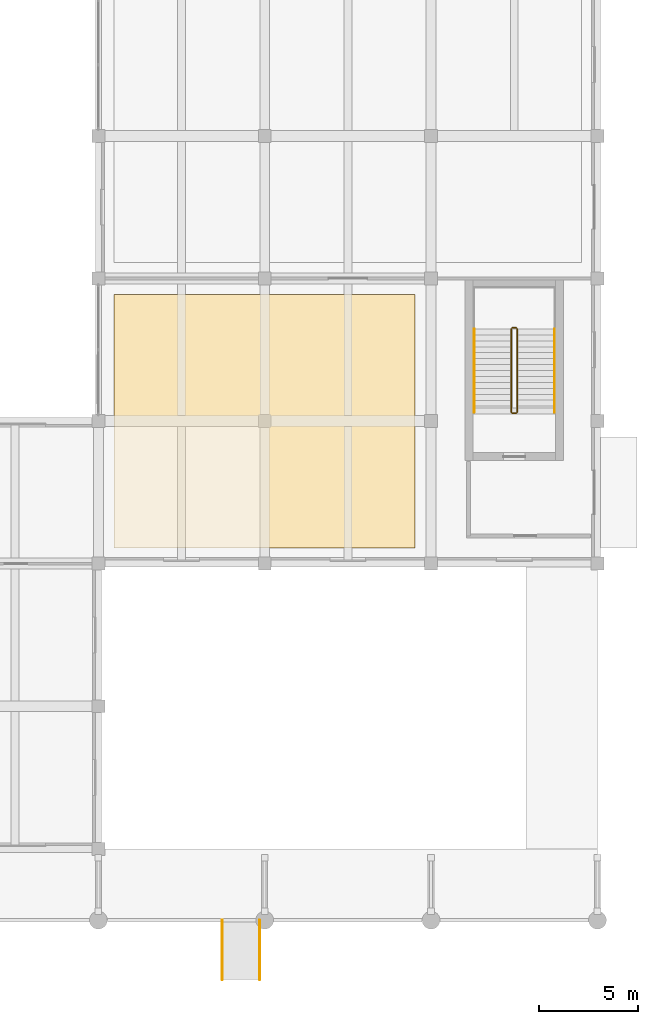
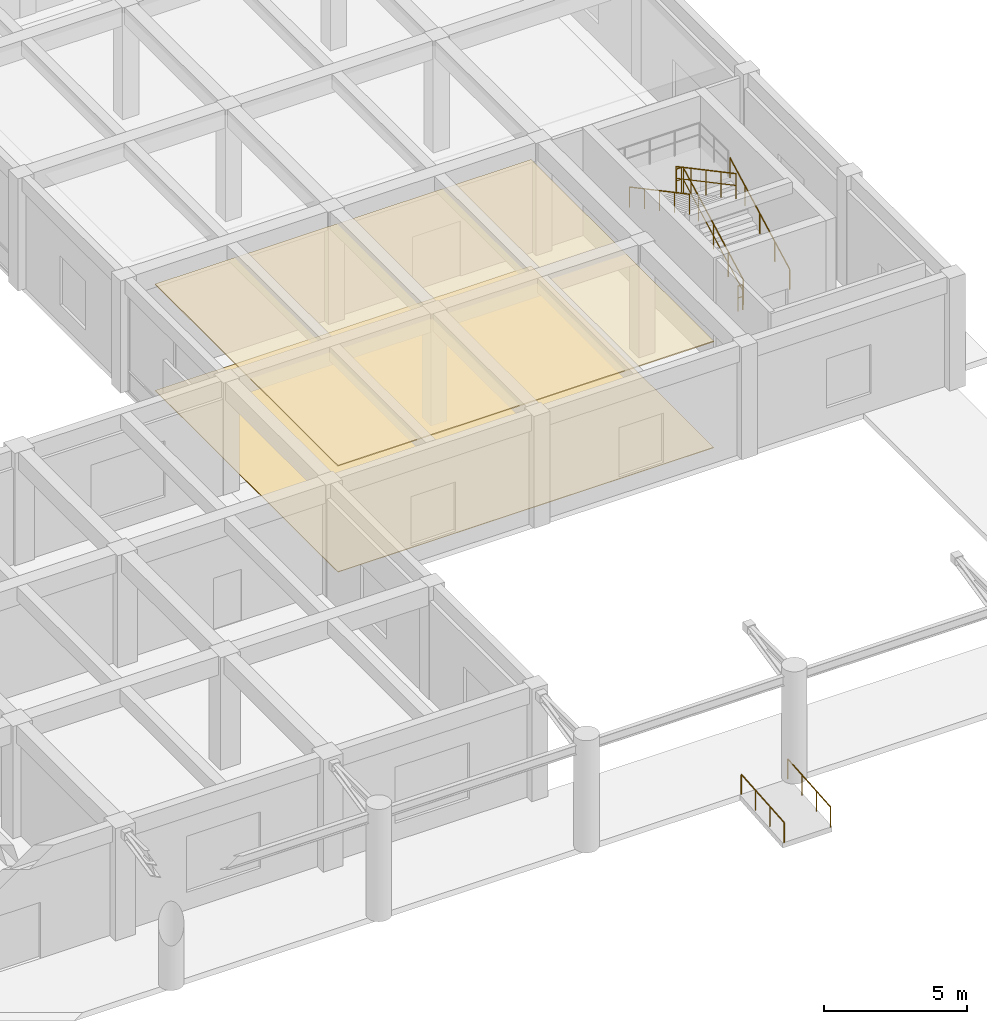
# One storey, part 47 of 49: 8 railings, 2 coverings.
"""IFC4 building model written with IfcOpenShell, lengths in metres."""

from ifc_helpers import new_model, si_unit, direction, frame, origin, origin_2d, place, context, subcontext, project, spatial, polyline, circle, outline, extrude, material, layer, layer_set, type_object, element, save


model = new_model("IFC4")

# Units and contexts
model_context = context("Model", 3, precision=1e-05, world=origin(), true_north=direction((0.0, 1.0)))
body_context = subcontext(model_context, "Body", "Model", "MODEL_VIEW")
ifc_project = project(units=[si_unit("LENGTHUNIT", "METRE"), si_unit("AREAUNIT", "SQUARE_METRE"), si_unit("VOLUMEUNIT", "CUBIC_METRE"), si_unit("PLANEANGLEUNIT", "RADIAN"), si_unit("MASSUNIT", "GRAM", prefix="KILO")], contexts=[model_context])

# Site, building, storey
site_placement = place(None, origin())
site = spatial("IfcSite", under=ifc_project, at=site_placement, CompositionType="ELEMENT")
building_placement = place(site_placement, origin())
building = spatial("IfcBuilding", under=site, at=building_placement, Name="Kenerak Square Central Library", CompositionType="ELEMENT")
storey_placement = place(building_placement, origin())
storey = spatial("IfcBuildingStorey", under=building, at=storey_placement, Name="L00", CompositionType="ELEMENT", Elevation=0.0)

# Coverings
ifc_material_1 = material(Name="Chengal hardwood timber SG1", Category="wood")
ifc_layer_1 = layer(ifc_material_1, 0.044921875)
ifc_layer_set_1 = layer_set([ifc_layer_1], Name="Chengal hardwood timber SG1")
covering_type_1 = type_object("IfcCoveringType", Name="Perforated Chengal Acoustic Ceiling CV-CEIL", PredefinedType="CEILING", material=ifc_layer_set_1)
covering_1_placement = place(storey_placement, frame((0.0, 0.0, 4.530029296875)))
element("IfcCovering", 1, at=covering_1_placement, inside=storey, type_object=covering_type_1, Name="Acoustic Ceiling L00-11", PredefinedType="CEILING", context=body_context, shape_type="SweptSolid", body=[
    extrude(outline(polyline([(151.60009765625, 44.800048828125), (166.800048828125, 44.800048828125), (166.800048828125, 32.0), (151.60009765625, 32.0), (151.60009765625, 44.800048828125)])), origin(), (0.0, 0.0, 1.0), 0.044921875),
])
ifc_material_2 = material(Name="Polished granite aggregate terrazzo", Category="masonry")
ifc_layer_2 = layer(ifc_material_2, 0.02490234375)
ifc_layer_set_2 = layer_set([ifc_layer_2], Name="Polished granite aggregate terrazzo")
covering_type_2 = type_object("IfcCoveringType", Name="Polished Terrazzo Reading Floor Finish CV-FLR", PredefinedType="FLOORING", material=ifc_layer_set_2)
covering_2_placement = place(storey_placement, origin())
element("IfcCovering", 2, at=covering_2_placement, inside=storey, type_object=covering_type_2, Name="Terrazzo Floor Finish L00-11", PredefinedType="FLOORING", context=body_context, shape_type="SweptSolid", body=[
    extrude(outline(polyline([(151.60009765625, 44.800048828125), (166.800048828125, 44.800048828125), (166.800048828125, 32.0), (151.60009765625, 32.0), (151.60009765625, 44.800048828125)])), origin(), (0.0, 0.0, 1.0), 0.02490234375),
])

# Railings
ifc_material_3 = material(Name="Steel S355", Category="steel")
railing_type_1 = type_object("IfcRailingType", Name="Safety Guardrail GR-1100 S355", PredefinedType="GUARDRAIL", material=ifc_material_3)
railing_1_placement = place(storey_placement, frame((171.949951171875, 38.85009765625, 0.159912109375)))
element("IfcRailing", 3, at=railing_1_placement, inside=storey, type_object=railing_type_1, Name="L00 ST-07 stair guard 1", PredefinedType="GUARDRAIL", context=body_context, shape_type="SweptSolid", body=[
    extrude(circle(Radius=0.02392578125, at=origin_2d()), frame((0.0, 0.0, 1.076171875), z_axis=(0.0, 0.882351521365, 0.470590897432), x_axis=(-1.0, 0.0, 0.0)), (0.0, 0.0, 1.0), 4.760009765625),
    extrude(circle(Radius=0.01806640625, at=origin_2d()), frame((0.0, 0.0, 0.572021484375), z_axis=(0.0, 0.882351521365, 0.470590897432), x_axis=(-1.0, 0.0, 0.0)), (0.0, 0.0, 1.0), 4.760009765625),
    extrude(circle(Radius=0.02099609375, at=origin_2d()), origin(), (0.0, 0.0, 1.0), 1.052001953125),
    extrude(circle(Radius=0.02099609375, at=origin_2d()), frame((0.0, 1.050048828125, 0.56005859375)), (0.0, 0.0, 1.0), 1.052001953125),
    extrude(circle(Radius=0.02099609375, at=origin_2d()), frame((0.0, 2.10009765625, 1.1201171875)), (0.0, 0.0, 1.0), 1.052001953125),
    extrude(circle(Radius=0.02099609375, at=origin_2d()), frame((0.0, 3.14990234375, 1.679931640625)), (0.0, 0.0, 1.0), 1.052001953125),
    extrude(circle(Radius=0.02099609375, at=origin_2d()), frame((0.0, 4.199951171875, 2.239990234375)), (0.0, 0.0, 1.0), 1.052001953125),
])
railing_2_placement = place(storey_placement, frame((171.89990234375, 43.10009765625, 2.39990234375)))
element("IfcRailing", 4, at=railing_2_placement, inside=storey, type_object=railing_type_1, Name="L00 ST-07 stair guard 2", PredefinedType="GUARDRAIL", context=body_context, shape_type="SweptSolid", body=[
    extrude(circle(Radius=0.02392578125, at=origin_2d()), frame((0.0, 0.0, 1.076171875), z_axis=(-1.0, 0.0, 0.0), x_axis=(0.0, -1.0, 0.0)), (0.0, 0.0, 1.0), 0.199951171875),
    extrude(circle(Radius=0.01806640625, at=origin_2d()), frame((0.0, 0.0, 0.572021484375), z_axis=(-1.0, 0.0, 0.0), x_axis=(0.0, -1.0, 0.0)), (0.0, 0.0, 1.0), 0.199951171875),
    extrude(circle(Radius=0.02099609375, at=origin_2d()), origin(), (0.0, 0.0, 1.0), 1.052001953125),
    extrude(circle(Radius=0.02099609375, at=origin_2d()), frame((-0.199951171875, 0.0, 0.0)), (0.0, 0.0, 1.0), 1.052001953125),
])
railing_3_placement = place(storey_placement, frame((171.64990234375, 43.050048828125, 2.56005859375)))
element("IfcRailing", 5, at=railing_3_placement, inside=storey, type_object=railing_type_1, Name="L00 ST-07 stair guard 3", PredefinedType="GUARDRAIL", context=body_context, shape_type="SweptSolid", body=[
    extrude(circle(Radius=0.02392578125, at=origin_2d()), frame((0.0, 0.0, 1.076171875), z_axis=(0.0, -0.882351521365, 0.470590897432), x_axis=(1.0, 0.0, 0.0)), (0.0, 0.0, 1.0), 4.760009765625),
    extrude(circle(Radius=0.01806640625, at=origin_2d()), frame((0.0, 0.0, 0.572021484375), z_axis=(0.0, -0.882351521365, 0.470590897432), x_axis=(1.0, 0.0, 0.0)), (0.0, 0.0, 1.0), 4.760009765625),
    extrude(circle(Radius=0.02099609375, at=origin_2d()), origin(), (0.0, 0.0, 1.0), 1.052001953125),
    extrude(circle(Radius=0.02099609375, at=origin_2d()), frame((0.0, -1.050048828125, 0.56005859375)), (0.0, 0.0, 1.0), 1.052001953125),
    extrude(circle(Radius=0.02099609375, at=origin_2d()), frame((0.0, -2.10009765625, 1.1201171875)), (0.0, 0.0, 1.0), 1.052001953125),
    extrude(circle(Radius=0.02099609375, at=origin_2d()), frame((0.0, -3.14990234375, 1.679931640625)), (0.0, 0.0, 1.0), 1.052001953125),
    extrude(circle(Radius=0.02099609375, at=origin_2d()), frame((0.0, -4.199951171875, 2.239990234375)), (0.0, 0.0, 1.0), 1.052001953125),
])
railing_4_placement = place(storey_placement, frame((171.89990234375, 38.800048828125, 0.0)))
element("IfcRailing", 6, at=railing_4_placement, inside=storey, type_object=railing_type_1, Name="L00 ST-07 stair guard 4", PredefinedType="GUARDRAIL", context=body_context, shape_type="SweptSolid", body=[
    extrude(circle(Radius=0.02392578125, at=origin_2d()), frame((0.0, 0.0, 1.076171875), z_axis=(-1.0, 0.0, 0.0), x_axis=(0.0, -1.0, 0.0)), (0.0, 0.0, 1.0), 0.199951171875),
    extrude(circle(Radius=0.01806640625, at=origin_2d()), frame((0.0, 0.0, 0.572021484375), z_axis=(-1.0, 0.0, 0.0), x_axis=(0.0, -1.0, 0.0)), (0.0, 0.0, 1.0), 0.199951171875),
    extrude(circle(Radius=0.02099609375, at=origin_2d()), origin(), (0.0, 0.0, 1.0), 1.052001953125),
    extrude(circle(Radius=0.02099609375, at=origin_2d()), frame((-0.199951171875, 0.0, 0.0)), (0.0, 0.0, 1.0), 1.052001953125),
])
railing_type_2 = type_object("IfcRailingType", Name="Stair Handrail HR-880 S355", PredefinedType="HANDRAIL", material=ifc_material_3)
railing_5_placement = place(storey_placement, frame((173.830078125, 38.85009765625, 0.159912109375)))
element("IfcRailing", 7, at=railing_5_placement, inside=storey, type_object=railing_type_2, Name="L00 ST-07 stair handrail 1", PredefinedType="HANDRAIL", context=body_context, shape_type="SweptSolid", body=[
    extrude(circle(Radius=0.02392578125, at=origin_2d()), frame((0.0, 0.0, 0.85595703125), z_axis=(0.0, 0.882351521365, 0.470590897432), x_axis=(-1.0, 0.0, 0.0)), (0.0, 0.0, 1.0), 4.760009765625),
    extrude(circle(Radius=0.02099609375, at=origin_2d()), origin(), (0.0, 0.0, 1.0), 0.831787109375),
    extrude(circle(Radius=0.02099609375, at=origin_2d()), frame((0.0, 1.050048828125, 0.56005859375)), (0.0, 0.0, 1.0), 0.831787109375),
    extrude(circle(Radius=0.02099609375, at=origin_2d()), frame((0.0, 2.10009765625, 1.1201171875)), (0.0, 0.0, 1.0), 0.831787109375),
    extrude(circle(Radius=0.02099609375, at=origin_2d()), frame((0.0, 3.14990234375, 1.679931640625)), (0.0, 0.0, 1.0), 0.831787109375),
    extrude(circle(Radius=0.02099609375, at=origin_2d()), frame((0.0, 4.199951171875, 2.239990234375)), (0.0, 0.0, 1.0), 0.831787109375),
])
railing_6_placement = place(storey_placement, frame((169.77001953125, 43.050048828125, 2.56005859375)))
element("IfcRailing", 8, at=railing_6_placement, inside=storey, type_object=railing_type_2, Name="L00 ST-07 stair handrail 2", PredefinedType="HANDRAIL", context=body_context, shape_type="SweptSolid", body=[
    extrude(circle(Radius=0.02392578125, at=origin_2d()), frame((0.0, 0.0, 0.85595703125), z_axis=(0.0, -0.882351521365, 0.470590897432), x_axis=(1.0, 0.0, 0.0)), (0.0, 0.0, 1.0), 4.760009765625),
    extrude(circle(Radius=0.02099609375, at=origin_2d()), origin(), (0.0, 0.0, 1.0), 0.831787109375),
    extrude(circle(Radius=0.02099609375, at=origin_2d()), frame((0.0, -1.050048828125, 0.56005859375)), (0.0, 0.0, 1.0), 0.831787109375),
    extrude(circle(Radius=0.02099609375, at=origin_2d()), frame((0.0, -2.10009765625, 1.1201171875)), (0.0, 0.0, 1.0), 0.831787109375),
    extrude(circle(Radius=0.02099609375, at=origin_2d()), frame((0.0, -3.14990234375, 1.679931640625)), (0.0, 0.0, 1.0), 0.831787109375),
    extrude(circle(Radius=0.02099609375, at=origin_2d()), frame((0.0, -4.199951171875, 2.239990234375)), (0.0, 0.0, 1.0), 0.831787109375),
])
for number, where, name in (
    (9, (157.06005859375, 10.199951171875, -0.239990234375), "Children Pavilion Accessible Ramp PR-04 Handrail L"),
    (10, (158.93994140625, 10.199951171875, -0.239990234375), "Children Pavilion Accessible Ramp PR-04 Handrail R"),
):
    element("IfcRailing", number, at=place(storey_placement, frame(where)), inside=storey, type_object=railing_type_2, Name=name, PredefinedType="HANDRAIL", context=body_context, shape_type="SweptSolid", body=[
        extrude(circle(Radius=0.02392578125, at=origin_2d()), frame((0.0, 0.0, 0.85595703125), z_axis=(0.0, 0.996815536467, 0.079741998075), x_axis=(-1.0, 0.0, 0.0)), (0.0, 0.0, 1.0), 3.009521484375),
        extrude(circle(Radius=0.02099609375, at=origin_2d()), origin(), (0.0, 0.0, 1.0), 0.831787109375),
        extrude(circle(Radius=0.02099609375, at=origin_2d()), frame((0.0, 1.0, 0.080078125)), (0.0, 0.0, 1.0), 0.831787109375),
        extrude(circle(Radius=0.02099609375, at=origin_2d()), frame((0.0, 2.0, 0.159912109375)), (0.0, 0.0, 1.0), 0.831787109375),
        extrude(circle(Radius=0.02099609375, at=origin_2d()), frame((0.0, 3.0, 0.239990234375)), (0.0, 0.0, 1.0), 0.831787109375),
    ])

save(model, "model.ifc")
